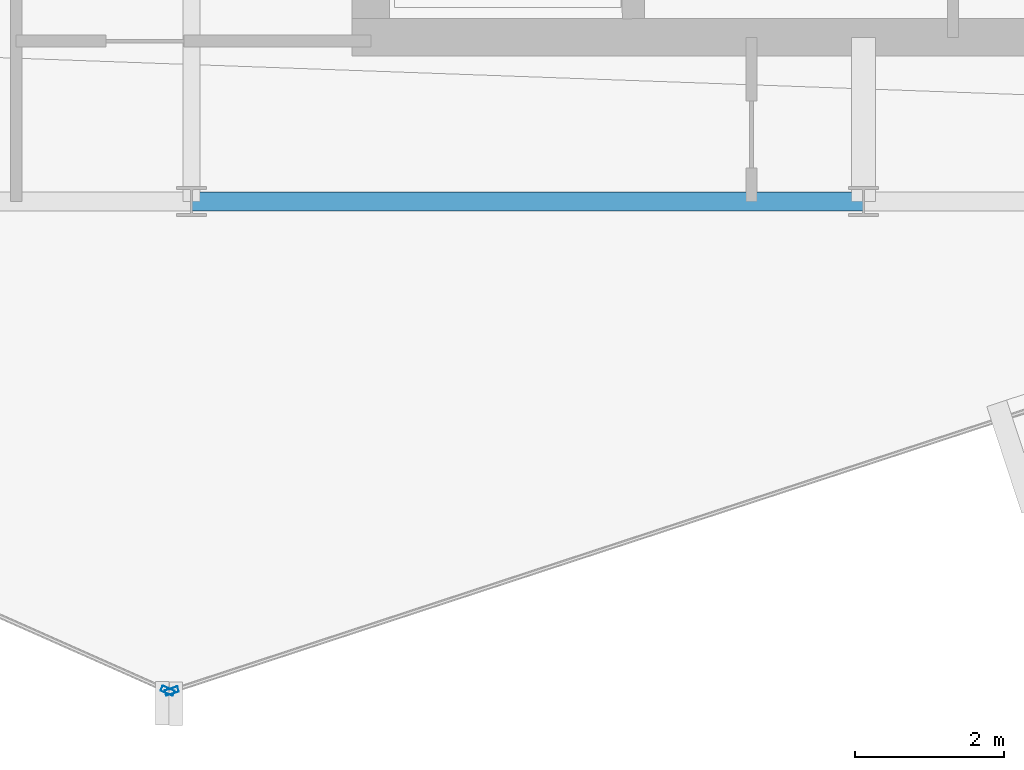
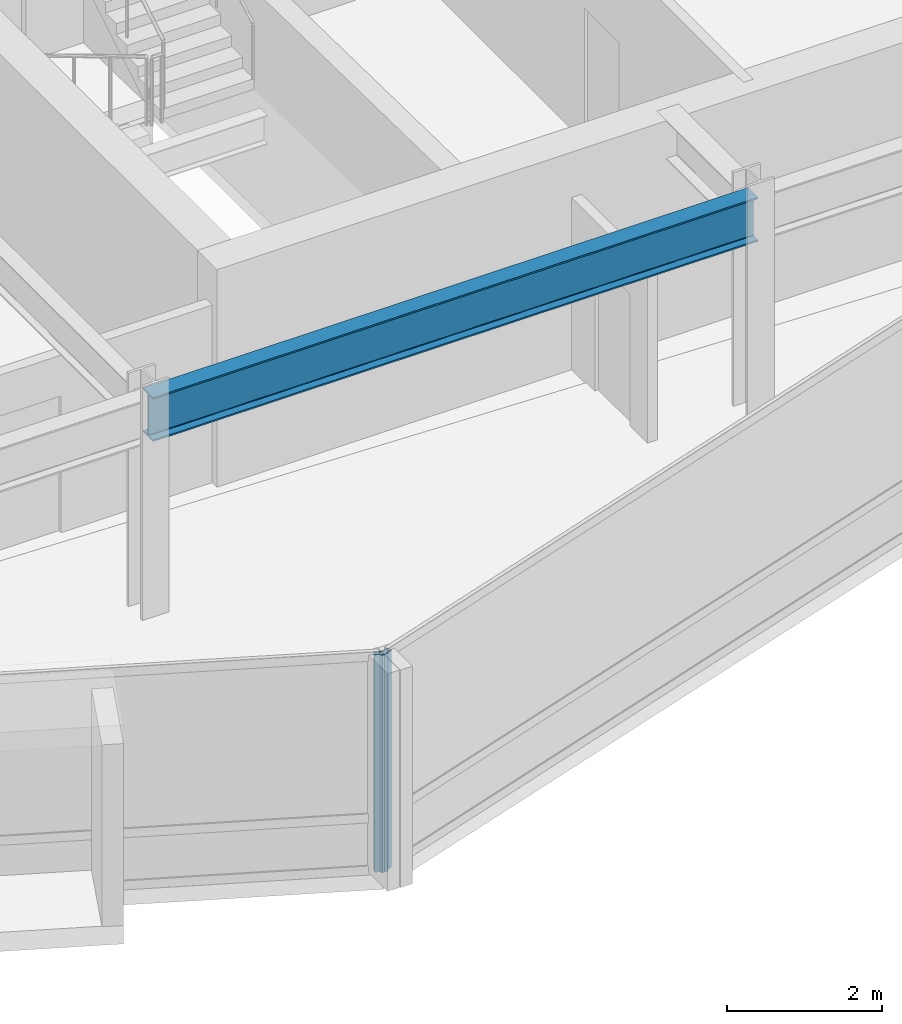
# One storey, part 4 of 28: 2 members, 1 beam, 2 elements without a shape of their own.
"""IFC4 building model written with IfcOpenShell, lengths in metres."""

from ifc_helpers import new_model, si_unit, direction, frame, origin, origin_2d, place, context, subcontext, project, spatial, hollow_rectangle, i_section, extrude, material, layer, layer_set, material_profile, profile_set, type_object, element, aggregate, save


model = new_model("IFC4")

# Units and contexts
model_context = context("Model", 3, precision=1e-05, world=origin(), true_north=direction((0.0, 1.0)))
body_context = subcontext(model_context, "Body", "Model", "MODEL_VIEW")
ifc_project = project(units=[si_unit("LENGTHUNIT", "METRE"), si_unit("AREAUNIT", "SQUARE_METRE"), si_unit("VOLUMEUNIT", "CUBIC_METRE"), si_unit("PLANEANGLEUNIT", "RADIAN"), si_unit("MASSUNIT", "GRAM", prefix="KILO")], contexts=[model_context])

# Site, building, storey
site_placement = place(None, origin())
site = spatial("IfcSite", under=ifc_project, at=site_placement, CompositionType="ELEMENT")
building_placement = place(site_placement, origin())
building = spatial("IfcBuilding", under=site, at=building_placement, Name="Solvaryn Broadcast Tower", CompositionType="ELEMENT")
storey_placement = place(building_placement, frame((0.0, 0.0, 217.300048828125)))
storey = spatial("IfcBuildingStorey", under=building, at=storey_placement, Name="L54", CompositionType="ELEMENT", Elevation=217.300048828125)

# Beam
ifc_material_1 = material(Name="Steel ASTM A992 Grade 50", Category="steel")
ifc_material_profile_1 = material_profile(ifc_material_1, i_section(OverallWidth=0.256103515625, OverallDepth=0.693115234375, WebThickness=0.014404296875, FlangeThickness=0.023681640625, FilletRadius=0.01611328125, at=origin_2d()))
ifc_profile_set_1 = profile_set([ifc_material_profile_1], Name="Steel ASTM A992 Grade 50")
beam_type = type_object("IfcBeamType", Name="BM-SP3-W27X114", PredefinedType="USERDEFINED", material=ifc_profile_set_1)
beam_placement = place(storey_placement, frame((27.0, 9.0, 3.073486328125), z_axis=(1.0, 0.0, 0.0), x_axis=(0.0, 1.0, 0.0)))
element("IfcBeam", 1, at=beam_placement, inside=storey, type_object=beam_type, Name="L54 Spandrel Beam X (27-36 @ Y=9)", ObjectType="SPANDREL", PredefinedType="USERDEFINED", context=body_context, shape_type="SweptSolid", body=[
    extrude(i_section(OverallWidth=0.256103515625, OverallDepth=0.693115234375, WebThickness=0.014404296875, FlangeThickness=0.023681640625, FilletRadius=0.01611328125, at=origin_2d()), origin(), (0.0, 0.0, 1.0), 9.0),
])

# Curtain wall, member
ifc_material_2 = material(Name="Aluminium and Terracotta Unitised Curtain Wall", Category="masonry")
ifc_layer = layer(ifc_material_2, 0.199951171875)
ifc_layer_set = layer_set([ifc_layer], Name="CW-SYS2-LOWMID")
curtain_wall_type = type_object("IfcCurtainWallType", Name="CW-SYS2-LOWMID", PredefinedType="NOTDEFINED", material=ifc_layer_set)
curtain_wall_1_placement = place(storey_placement, origin())
curtain_wall_1 = element("IfcCurtainWall", 2, at=curtain_wall_1_placement, inside=storey, type_object=curtain_wall_type, Name="L54 Curtain Wall DR3", PredefinedType="NOTDEFINED")
ifc_material_3 = material(Name="Anodised Aluminium 6063-T6", Category="aluminium")
ifc_material_profile_2 = material_profile(ifc_material_3, hollow_rectangle(XDim=0.074951171875, YDim=0.179931640625, WallThickness=0.00390625, InnerFilletRadius=0.00390625, OuterFilletRadius=0.008056640625, at=origin_2d()))
ifc_profile_set_2 = profile_set([ifc_material_profile_2], Name="Anodised Aluminium 6063-T6")
member_type = type_object("IfcMemberType", Name="CW-MUL-180", PredefinedType="MULLION", material=ifc_profile_set_2)
member_1_placement = place(storey_placement, frame((26.678466796875, 2.445068359375, 0.0), z_axis=(0.0, 0.0, 1.0), x_axis=(0.405901337237, 0.913916902365, 0.0)))
member_1 = element("IfcMember", 3, at=member_1_placement, type_object=member_type, Name="CWS2 mullion 2", PredefinedType="MULLION", context=body_context, shape_type="SweptSolid", body=[
    extrude(hollow_rectangle(XDim=0.074951171875, YDim=0.179931640625, WallThickness=0.00390625, InnerFilletRadius=0.00390625, OuterFilletRadius=0.008056640625, at=origin_2d()), origin(), (0.0, 0.0, 1.0), 3.419921875),
])
aggregate(curtain_wall_1, [member_1])

curtain_wall_2_placement = place(storey_placement, origin())
curtain_wall_2 = element("IfcCurtainWall", 4, at=curtain_wall_2_placement, inside=storey, type_object=curtain_wall_type, Name="L54 Curtain Wall DR4", PredefinedType="NOTDEFINED")
member_2_placement = place(storey_placement, frame((26.734619140625, 2.4423828125, 0.0), z_axis=(0.0, 0.0, 1.0), x_axis=(-0.311558717623, 0.950226902099, 0.0)))
member_2 = element("IfcMember", 5, at=member_2_placement, type_object=member_type, Name="CWS2 mullion 1", PredefinedType="MULLION", context=body_context, shape_type="SweptSolid", body=[
    extrude(hollow_rectangle(XDim=0.074951171875, YDim=0.179931640625, WallThickness=0.00390625, InnerFilletRadius=0.00390625, OuterFilletRadius=0.008056640625, at=origin_2d()), origin(), (0.0, 0.0, 1.0), 3.419921875),
])
aggregate(curtain_wall_2, [member_2])

save(model, "model.ifc")
